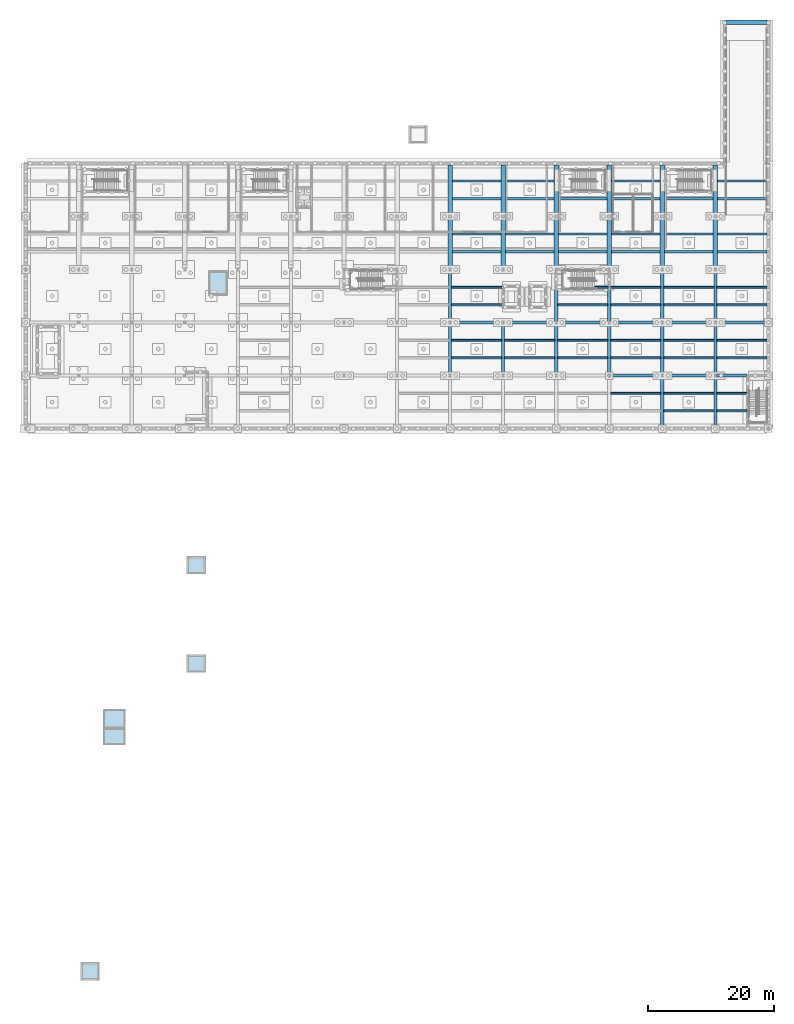
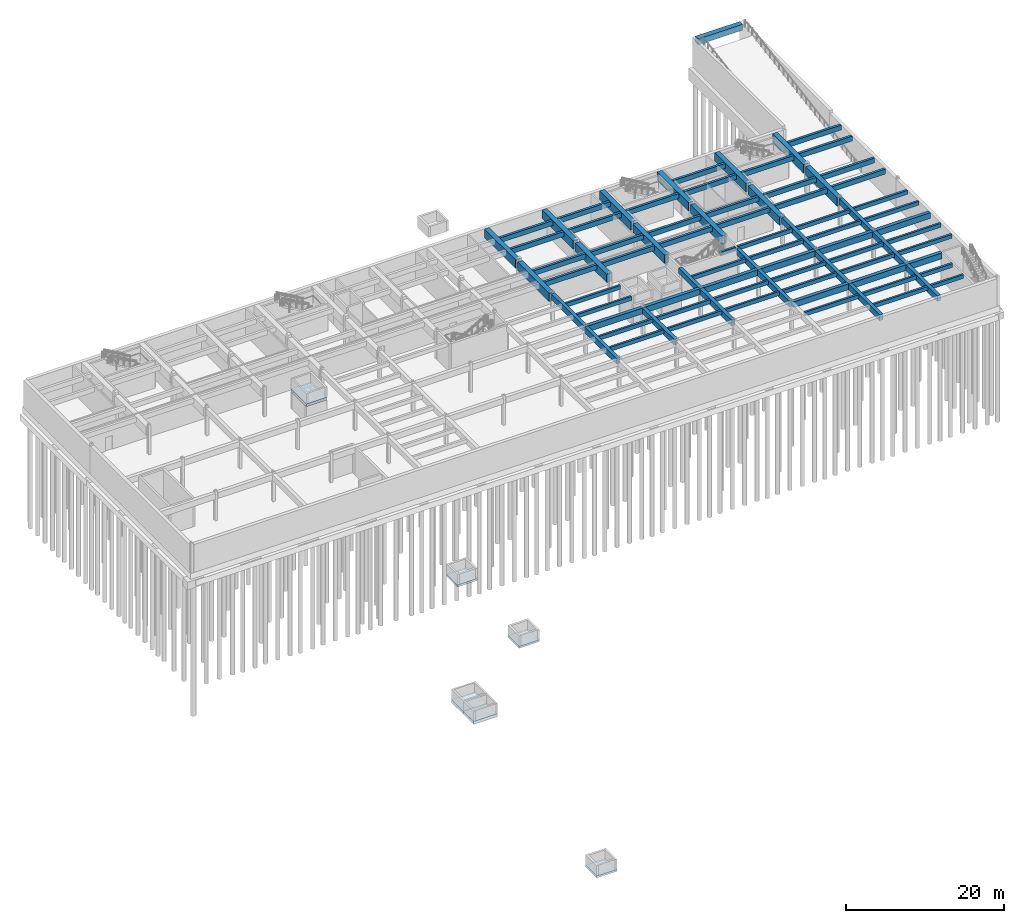
# One storey, part 18 of 33: 84 beams, 6 slabs.
"""IFC4 building model written with IfcOpenShell, lengths in metres."""

from ifc_helpers import new_model, si_unit, direction, frame, origin, origin_2d, place, context, subcontext, project, spatial, polyline, rectangle, outline, extrude, material, layer, layer_set, material_profile, profile_set, type_object, element, save


model = new_model("IFC4")

# Units and contexts
model_context = context("Model", 3, precision=1e-05, world=origin(), true_north=direction((0.0, 1.0)))
body_context = subcontext(model_context, "Body", "Model", "MODEL_VIEW")
ifc_project = project(units=[si_unit("LENGTHUNIT", "METRE"), si_unit("AREAUNIT", "SQUARE_METRE"), si_unit("VOLUMEUNIT", "CUBIC_METRE"), si_unit("PLANEANGLEUNIT", "RADIAN"), si_unit("MASSUNIT", "GRAM", prefix="KILO")], contexts=[model_context])

# Site, building, storey
site_placement = place(None, origin())
site = spatial("IfcSite", under=ifc_project, at=site_placement, CompositionType="ELEMENT")
building_placement = place(site_placement, origin())
building = spatial("IfcBuilding", under=site, at=building_placement, Name="Ljudholm Concert House", CompositionType="ELEMENT")
storey_placement = place(building_placement, frame((0.0, 0.0, -4.60009765625)))
storey = spatial("IfcBuildingStorey", under=building, at=storey_placement, Name="B1", CompositionType="ELEMENT", Elevation=-4.60009765625)

# Beams
ifc_material_1 = material(Name="Concrete 6,500 psi", Category="concrete")
ifc_material_profile_1 = material_profile(ifc_material_1, rectangle(XDim=0.300048828125, YDim=0.60009765625, at=origin_2d()), Name="RC BEAM 300x600")
ifc_profile_set_1 = profile_set([ifc_material_profile_1], Name="Concrete 6,500 psi")
beam_type_1 = type_object("IfcBeamType", Name="RC BEAM 300x600", PredefinedType="BEAM", material=ifc_profile_set_1)
beam_1_placement = place(storey_placement, frame((96.64990234375, 110.39990234375, 4.0), z_axis=(1.0, 0.0, 0.0), x_axis=(0.0, 1.0, 0.0)))
element("IfcBeam", 1, at=beam_1_placement, inside=storey, type_object=beam_type_1, Name="Deck beam", PredefinedType="BEAM", context=body_context, shape_type="SweptSolid", body=[
    extrude(rectangle(XDim=0.300048828125, YDim=0.60009765625, at=origin_2d()), origin(), (0.0, 0.0, 1.0), 7.900146484375),
])
for number, where, z_axis, x_axis, name in (
    (2, (105.050048828125, 107.60009765625, 4.0), (1.0, 0.0, 0.0), (0.0, 1.0, 0.0), "Deck beam"),
    (3, (105.050048828125, 110.39990234375, 4.0), (1.0, 0.0, 0.0), (0.0, 1.0, 0.0), "Deck beam"),
):
    element("IfcBeam", number, at=place(storey_placement, frame(where, z_axis=z_axis, x_axis=x_axis)), inside=storey, type_object=beam_type_1, Name=name, PredefinedType="BEAM", context=body_context, shape_type="SweptSolid", body=[
        extrude(rectangle(XDim=0.300048828125, YDim=0.60009765625, at=origin_2d()), origin(), (0.0, 0.0, 1.0), 7.89990234375),
    ])
for number, where, z_axis, x_axis, name in (
    (4, (113.449951171875, 107.60009765625, 4.0), (1.0, 0.0, 0.0), (0.0, 1.0, 0.0), "Deck beam"),
    (5, (113.449951171875, 110.39990234375, 4.0), (1.0, 0.0, 0.0), (0.0, 1.0, 0.0), "Deck beam"),
):
    element("IfcBeam", number, at=place(storey_placement, frame(where, z_axis=z_axis, x_axis=x_axis)), inside=storey, type_object=beam_type_1, Name=name, PredefinedType="BEAM", context=body_context, shape_type="SweptSolid", body=[
        extrude(rectangle(XDim=0.300048828125, YDim=0.60009765625, at=origin_2d()), origin(), (0.0, 0.0, 1.0), 4.75),
    ])
for number, where, z_axis, x_axis, name in (
    (6, (71.449951171875, 116.0, 4.0), (1.0, 0.0, 0.0), (0.0, 1.0, 0.0), "Deck beam"),
    (7, (71.449951171875, 118.800048828125, 4.0), (1.0, 0.0, 0.0), (0.0, 1.0, 0.0), "Deck beam"),
):
    element("IfcBeam", number, at=place(storey_placement, frame(where, z_axis=z_axis, x_axis=x_axis)), inside=storey, type_object=beam_type_1, Name=name, PredefinedType="BEAM", context=body_context, shape_type="SweptSolid", body=[
        extrude(rectangle(XDim=0.300048828125, YDim=0.60009765625, at=origin_2d()), origin(), (0.0, 0.0, 1.0), 7.900146484375),
    ])
for number, where, z_axis, x_axis, name in (
    (8, (79.85009765625, 116.0, 4.0), (1.0, 0.0, 0.0), (0.0, 1.0, 0.0), "Deck beam"),
    (9, (79.85009765625, 118.800048828125, 4.0), (1.0, 0.0, 0.0), (0.0, 1.0, 0.0), "Deck beam"),
    (10, (88.25, 116.0, 4.0), (1.0, 0.0, 0.0), (0.0, 1.0, 0.0), "Deck beam"),
    (11, (88.25, 118.800048828125, 4.0), (1.0, 0.0, 0.0), (0.0, 1.0, 0.0), "Deck beam"),
):
    element("IfcBeam", number, at=place(storey_placement, frame(where, z_axis=z_axis, x_axis=x_axis)), inside=storey, type_object=beam_type_1, Name=name, PredefinedType="BEAM", context=body_context, shape_type="SweptSolid", body=[
        extrude(rectangle(XDim=0.300048828125, YDim=0.60009765625, at=origin_2d()), origin(), (0.0, 0.0, 1.0), 7.89990234375),
    ])
for number, where, z_axis, x_axis, name in (
    (12, (96.64990234375, 116.0, 4.0), (1.0, 0.0, 0.0), (0.0, 1.0, 0.0), "Deck beam"),
    (13, (96.64990234375, 118.800048828125, 4.0), (1.0, 0.0, 0.0), (0.0, 1.0, 0.0), "Deck beam"),
):
    element("IfcBeam", number, at=place(storey_placement, frame(where, z_axis=z_axis, x_axis=x_axis)), inside=storey, type_object=beam_type_1, Name=name, PredefinedType="BEAM", context=body_context, shape_type="SweptSolid", body=[
        extrude(rectangle(XDim=0.300048828125, YDim=0.60009765625, at=origin_2d()), origin(), (0.0, 0.0, 1.0), 7.900146484375),
    ])
for number, where, z_axis, x_axis, name in (
    (14, (105.050048828125, 116.0, 4.0), (1.0, 0.0, 0.0), (0.0, 1.0, 0.0), "Deck beam"),
    (15, (105.050048828125, 118.800048828125, 4.0), (1.0, 0.0, 0.0), (0.0, 1.0, 0.0), "Deck beam"),
):
    element("IfcBeam", number, at=place(storey_placement, frame(where, z_axis=z_axis, x_axis=x_axis)), inside=storey, type_object=beam_type_1, Name=name, PredefinedType="BEAM", context=body_context, shape_type="SweptSolid", body=[
        extrude(rectangle(XDim=0.300048828125, YDim=0.60009765625, at=origin_2d()), origin(), (0.0, 0.0, 1.0), 7.89990234375),
    ])
for number, where, z_axis, x_axis, name in (
    (16, (113.449951171875, 116.0, 4.0), (1.0, 0.0, 0.0), (0.0, 1.0, 0.0), "Deck beam"),
    (17, (113.449951171875, 118.800048828125, 4.0), (1.0, 0.0, 0.0), (0.0, 1.0, 0.0), "Deck beam"),
):
    element("IfcBeam", number, at=place(storey_placement, frame(where, z_axis=z_axis, x_axis=x_axis)), inside=storey, type_object=beam_type_1, Name=name, PredefinedType="BEAM", context=body_context, shape_type="SweptSolid", body=[
        extrude(rectangle(XDim=0.300048828125, YDim=0.60009765625, at=origin_2d()), origin(), (0.0, 0.0, 1.0), 7.900146484375),
    ])
for number, where, z_axis, x_axis, name in (
    (18, (71.449951171875, 124.39990234375, 4.0), (1.0, 0.0, 0.0), (0.0, 1.0, 0.0), "Deck beam"),
    (19, (71.449951171875, 127.199951171875, 4.0), (1.0, 0.0, 0.0), (0.0, 1.0, 0.0), "Deck beam"),
):
    element("IfcBeam", number, at=place(storey_placement, frame(where, z_axis=z_axis, x_axis=x_axis)), inside=storey, type_object=beam_type_1, Name=name, PredefinedType="BEAM", context=body_context, shape_type="SweptSolid", body=[
        extrude(rectangle(XDim=0.300048828125, YDim=0.60009765625, at=origin_2d()), origin(), (0.0, 0.0, 1.0), 8.025146484375),
    ])
beam_2_placement = place(storey_placement, frame((88.25, 124.39990234375, 4.0), z_axis=(1.0, 0.0, 0.0), x_axis=(0.0, 1.0, 0.0)))
element("IfcBeam", 20, at=beam_2_placement, inside=storey, type_object=beam_type_1, Name="Deck beam", PredefinedType="BEAM", context=body_context, shape_type="SweptSolid", body=[
    extrude(rectangle(XDim=0.300048828125, YDim=0.60009765625, at=origin_2d()), origin(), (0.0, 0.0, 1.0), 7.89990234375),
])
beam_3_placement = place(storey_placement, frame((94.094482421875, 127.199951171875, 4.0), z_axis=(1.0, 0.0, 0.0), x_axis=(0.0, 1.0, 0.0)))
element("IfcBeam", 21, at=beam_3_placement, inside=storey, type_object=beam_type_1, Name="Deck beam", PredefinedType="BEAM", context=body_context, shape_type="SweptSolid", body=[
    extrude(rectangle(XDim=0.300048828125, YDim=0.60009765625, at=origin_2d()), origin(), (0.0, 0.0, 1.0), 2.180419921875),
])
beam_4_placement = place(storey_placement, frame((96.64990234375, 124.39990234375, 4.0), z_axis=(1.0, 0.0, 0.0), x_axis=(0.0, 1.0, 0.0)))
element("IfcBeam", 22, at=beam_4_placement, inside=storey, type_object=beam_type_1, Name="Deck beam", PredefinedType="BEAM", context=body_context, shape_type="SweptSolid", body=[
    extrude(rectangle(XDim=0.300048828125, YDim=0.60009765625, at=origin_2d()), origin(), (0.0, 0.0, 1.0), 7.900146484375),
])
beam_5_placement = place(storey_placement, frame((96.52490234375, 127.199951171875, 4.0), z_axis=(1.0, 0.0, 0.0), x_axis=(0.0, 1.0, 0.0)))
element("IfcBeam", 23, at=beam_5_placement, inside=storey, type_object=beam_type_1, Name="Deck beam", PredefinedType="BEAM", context=body_context, shape_type="SweptSolid", body=[
    extrude(rectangle(XDim=0.300048828125, YDim=0.60009765625, at=origin_2d()), origin(), (0.0, 0.0, 1.0), 8.025146484375),
])
for number, where, z_axis, x_axis, name in (
    (24, (105.050048828125, 124.39990234375, 4.0), (1.0, 0.0, 0.0), (0.0, 1.0, 0.0), "Deck beam"),
    (25, (105.050048828125, 127.199951171875, 4.0), (1.0, 0.0, 0.0), (0.0, 1.0, 0.0), "Deck beam"),
):
    element("IfcBeam", number, at=place(storey_placement, frame(where, z_axis=z_axis, x_axis=x_axis)), inside=storey, type_object=beam_type_1, Name=name, PredefinedType="BEAM", context=body_context, shape_type="SweptSolid", body=[
        extrude(rectangle(XDim=0.300048828125, YDim=0.60009765625, at=origin_2d()), origin(), (0.0, 0.0, 1.0), 7.89990234375),
    ])
for number, where, z_axis, x_axis, name in (
    (26, (113.449951171875, 124.39990234375, 4.0), (1.0, 0.0, 0.0), (0.0, 1.0, 0.0), "Deck beam"),
    (27, (113.449951171875, 127.199951171875, 4.0), (1.0, 0.0, 0.0), (0.0, 1.0, 0.0), "Deck beam"),
):
    element("IfcBeam", number, at=place(storey_placement, frame(where, z_axis=z_axis, x_axis=x_axis)), inside=storey, type_object=beam_type_1, Name=name, PredefinedType="BEAM", context=body_context, shape_type="SweptSolid", body=[
        extrude(rectangle(XDim=0.300048828125, YDim=0.60009765625, at=origin_2d()), origin(), (0.0, 0.0, 1.0), 7.900146484375),
    ])
ifc_material_2 = material(Name="Concrete 6,500 psi", Category="concrete")
ifc_material_profile_2 = material_profile(ifc_material_2, rectangle(XDim=0.35009765625, YDim=0.75, at=origin_2d()), Name="RC BEAM 350x750")
ifc_profile_set_2 = profile_set([ifc_material_profile_2], Name="Concrete 6,500 psi")
beam_type_2 = type_object("IfcBeamType", Name="RC BEAM 350x750", PredefinedType="BEAM", material=ifc_profile_set_2)
for number, where, z_axis, x_axis, name in (
    (28, (71.550048828125, 132.800048828125, 3.815185546875), (1.0, 0.0, 0.0), (0.0, 1.0, 0.0), "Deck beam"),
    (29, (79.949951171875, 132.800048828125, 3.815185546875), (1.0, 0.0, 0.0), (0.0, 1.0, 0.0), "Deck beam"),
    (30, (88.35009765625, 132.800048828125, 3.815185546875), (1.0, 0.0, 0.0), (0.0, 1.0, 0.0), "Deck beam"),
    (31, (96.75, 132.800048828125, 3.815185546875), (1.0, 0.0, 0.0), (0.0, 1.0, 0.0), "Deck beam"),
):
    element("IfcBeam", number, at=place(storey_placement, frame(where, z_axis=z_axis, x_axis=x_axis)), inside=storey, type_object=beam_type_2, Name=name, PredefinedType="BEAM", context=body_context, shape_type="SweptSolid", body=[
        extrude(rectangle(XDim=0.35009765625, YDim=0.75, at=origin_2d()), origin(), (0.0, 0.0, 1.0), 7.699951171875),
    ])
beam_6_placement = place(storey_placement, frame((105.14990234375, 132.800048828125, 3.815185546875), z_axis=(1.0, 0.0, 0.0), x_axis=(0.0, 1.0, 0.0)))
element("IfcBeam", 32, at=beam_6_placement, inside=storey, type_object=beam_type_2, Name="Deck beam", PredefinedType="BEAM", context=body_context, shape_type="SweptSolid", body=[
    extrude(rectangle(XDim=0.35009765625, YDim=0.75, at=origin_2d()), origin(), (0.0, 0.0, 1.0), 7.7001953125),
])
beam_7_placement = place(storey_placement, frame((113.550048828125, 132.800048828125, 3.815185546875), z_axis=(1.0, 0.0, 0.0), x_axis=(0.0, 1.0, 0.0)))
element("IfcBeam", 33, at=beam_7_placement, inside=storey, type_object=beam_type_2, Name="Deck beam", PredefinedType="BEAM", context=body_context, shape_type="SweptSolid", body=[
    extrude(rectangle(XDim=0.35009765625, YDim=0.75, at=origin_2d()), origin(), (0.0, 0.0, 1.0), 7.800048828125),
])
for number, where, z_axis, x_axis, name in (
    (34, (71.550048828125, 135.60009765625, 3.815185546875), (1.0, 0.0, 0.0), (0.0, 1.0, 0.0), "Deck beam"),
    (35, (79.949951171875, 135.60009765625, 3.815185546875), (1.0, 0.0, 0.0), (0.0, 1.0, 0.0), "Deck beam"),
    (36, (88.35009765625, 135.60009765625, 3.815185546875), (1.0, 0.0, 0.0), (0.0, 1.0, 0.0), "Deck beam"),
    (37, (96.75, 135.60009765625, 3.815185546875), (1.0, 0.0, 0.0), (0.0, 1.0, 0.0), "Deck beam"),
):
    element("IfcBeam", number, at=place(storey_placement, frame(where, z_axis=z_axis, x_axis=x_axis)), inside=storey, type_object=beam_type_2, Name=name, PredefinedType="BEAM", context=body_context, shape_type="SweptSolid", body=[
        extrude(rectangle(XDim=0.35009765625, YDim=0.75, at=origin_2d()), origin(), (0.0, 0.0, 1.0), 7.699951171875),
    ])
beam_8_placement = place(storey_placement, frame((105.14990234375, 135.60009765625, 3.815185546875), z_axis=(1.0, 0.0, 0.0), x_axis=(0.0, 1.0, 0.0)))
element("IfcBeam", 38, at=beam_8_placement, inside=storey, type_object=beam_type_2, Name="Deck beam", PredefinedType="BEAM", context=body_context, shape_type="SweptSolid", body=[
    extrude(rectangle(XDim=0.35009765625, YDim=0.75, at=origin_2d()), origin(), (0.0, 0.0, 1.0), 7.7001953125),
])
beam_9_placement = place(storey_placement, frame((113.550048828125, 135.60009765625, 3.815185546875), z_axis=(1.0, 0.0, 0.0), x_axis=(0.0, 1.0, 0.0)))
element("IfcBeam", 39, at=beam_9_placement, inside=storey, type_object=beam_type_2, Name="Deck beam", PredefinedType="BEAM", context=body_context, shape_type="SweptSolid", body=[
    extrude(rectangle(XDim=0.35009765625, YDim=0.75, at=origin_2d()), origin(), (0.0, 0.0, 1.0), 7.800048828125),
])
for number, where, z_axis, x_axis, name in (
    (40, (71.550048828125, 141.199951171875, 3.815185546875), (1.0, 0.0, 0.0), (0.0, 1.0, 0.0), "Deck beam"),
    (41, (79.949951171875, 141.199951171875, 3.815185546875), (1.0, 0.0, 0.0), (0.0, 1.0, 0.0), "Deck beam"),
    (42, (88.35009765625, 141.199951171875, 3.815185546875), (1.0, 0.0, 0.0), (0.0, 1.0, 0.0), "Deck beam"),
    (43, (96.75, 141.199951171875, 3.815185546875), (1.0, 0.0, 0.0), (0.0, 1.0, 0.0), "Deck beam"),
):
    element("IfcBeam", number, at=place(storey_placement, frame(where, z_axis=z_axis, x_axis=x_axis)), inside=storey, type_object=beam_type_2, Name=name, PredefinedType="BEAM", context=body_context, shape_type="SweptSolid", body=[
        extrude(rectangle(XDim=0.35009765625, YDim=0.75, at=origin_2d()), origin(), (0.0, 0.0, 1.0), 7.699951171875),
    ])
beam_10_placement = place(storey_placement, frame((105.14990234375, 141.199951171875, 3.815185546875), z_axis=(1.0, 0.0, 0.0), x_axis=(0.0, 1.0, 0.0)))
element("IfcBeam", 44, at=beam_10_placement, inside=storey, type_object=beam_type_2, Name="Deck beam", PredefinedType="BEAM", context=body_context, shape_type="SweptSolid", body=[
    extrude(rectangle(XDim=0.35009765625, YDim=0.75, at=origin_2d()), origin(), (0.0, 0.0, 1.0), 7.7001953125),
])
beam_11_placement = place(storey_placement, frame((113.550048828125, 141.199951171875, 3.815185546875), z_axis=(1.0, 0.0, 0.0), x_axis=(0.0, 1.0, 0.0)))
element("IfcBeam", 45, at=beam_11_placement, inside=storey, type_object=beam_type_2, Name="Deck beam", PredefinedType="BEAM", context=body_context, shape_type="SweptSolid", body=[
    extrude(rectangle(XDim=0.35009765625, YDim=0.75, at=origin_2d()), origin(), (0.0, 0.0, 1.0), 7.800048828125),
])
for number, where, z_axis, x_axis, name in (
    (46, (71.550048828125, 144.0, 3.815185546875), (1.0, 0.0, 0.0), (0.0, 1.0, 0.0), "Deck beam"),
    (47, (79.949951171875, 144.0, 3.815185546875), (1.0, 0.0, 0.0), (0.0, 1.0, 0.0), "Deck beam"),
    (48, (96.75, 144.0, 3.815185546875), (1.0, 0.0, 0.0), (0.0, 1.0, 0.0), "Deck beam"),
):
    element("IfcBeam", number, at=place(storey_placement, frame(where, z_axis=z_axis, x_axis=x_axis)), inside=storey, type_object=beam_type_2, Name=name, PredefinedType="BEAM", context=body_context, shape_type="SweptSolid", body=[
        extrude(rectangle(XDim=0.35009765625, YDim=0.75, at=origin_2d()), origin(), (0.0, 0.0, 1.0), 7.699951171875),
    ])
beam_12_placement = place(storey_placement, frame((113.550048828125, 144.0, 3.815185546875), z_axis=(1.0, 0.0, 0.0), x_axis=(0.0, 1.0, 0.0)))
element("IfcBeam", 49, at=beam_12_placement, inside=storey, type_object=beam_type_2, Name="Deck beam", PredefinedType="BEAM", context=body_context, shape_type="SweptSolid", body=[
    extrude(rectangle(XDim=0.35009765625, YDim=0.75, at=origin_2d()), origin(), (0.0, 0.0, 1.0), 7.800048828125),
])
ifc_material_3 = material(Name="Concrete 6,500 psi", Category="concrete")
ifc_material_profile_3 = material_profile(ifc_material_3, rectangle(XDim=0.5, YDim=0.89990234375, at=origin_2d()), Name="RC BEAM 500x900")
ifc_profile_set_3 = profile_set([ifc_material_profile_3], Name="Concrete 6,500 psi")
beam_type_3 = type_object("IfcBeamType", Name="RC BEAM 500x900", PredefinedType="BEAM", material=ifc_profile_set_3)
for number, where, z_axis, x_axis, name in (
    (50, (71.199951171875, 113.38671875, 3.85009765625), (0.0, 1.0, 0.0), (-1.0, 0.0, 0.0), "Deck girder"),
    (51, (71.199951171875, 121.78662109375, 3.85009765625), (0.0, 1.0, 0.0), (-1.0, 0.0, 0.0), "Deck girder"),
    (52, (79.60009765625, 113.38671875, 3.85009765625), (0.0, 1.0, 0.0), (-1.0, 0.0, 0.0), "Deck girder"),
    (53, (88.0, 113.38671875, 3.85009765625), (0.0, 1.0, 0.0), (-1.0, 0.0, 0.0), "Deck girder"),
):
    element("IfcBeam", number, at=place(storey_placement, frame(where, z_axis=z_axis, x_axis=x_axis)), inside=storey, type_object=beam_type_3, Name=name, PredefinedType="BEAM", context=body_context, shape_type="SweptSolid", body=[
        extrude(rectangle(XDim=0.5, YDim=0.89990234375, at=origin_2d()), origin(), (0.0, 0.0, 1.0), 8.026611328125),
    ])
beam_13_placement = place(storey_placement, frame((88.0, 121.78662109375, 3.85009765625), z_axis=(0.0, 1.0, 0.0), x_axis=(-1.0, 0.0, 0.0)))
element("IfcBeam", 54, at=beam_13_placement, inside=storey, type_object=beam_type_3, Name="Deck girder", PredefinedType="BEAM", context=body_context, shape_type="SweptSolid", body=[
    extrude(rectangle(XDim=0.5, YDim=0.89990234375, at=origin_2d()), origin(), (0.0, 0.0, 1.0), 4.9384765625),
])
beam_14_placement = place(storey_placement, frame((96.39990234375, 113.38671875, 3.85009765625), z_axis=(0.0, 1.0, 0.0), x_axis=(-1.0, 0.0, 0.0)))
element("IfcBeam", 55, at=beam_14_placement, inside=storey, type_object=beam_type_3, Name="Deck girder", PredefinedType="BEAM", context=body_context, shape_type="SweptSolid", body=[
    extrude(rectangle(XDim=0.5, YDim=0.89990234375, at=origin_2d()), origin(), (0.0, 0.0, 1.0), 8.026611328125),
])
beam_15_placement = place(storey_placement, frame((96.39990234375, 121.78662109375, 3.85009765625), z_axis=(0.0, 1.0, 0.0), x_axis=(-1.0, 0.0, 0.0)))
element("IfcBeam", 56, at=beam_15_placement, inside=storey, type_object=beam_type_3, Name="Deck girder", PredefinedType="BEAM", context=body_context, shape_type="SweptSolid", body=[
    extrude(rectangle(XDim=0.5, YDim=0.89990234375, at=origin_2d()), origin(), (0.0, 0.0, 1.0), 4.9384765625),
])
beam_16_placement = place(storey_placement, frame((104.800048828125, 105.050048828125, 3.85009765625), z_axis=(0.0, 1.0, 0.0), x_axis=(-1.0, 0.0, 0.0)))
element("IfcBeam", 57, at=beam_16_placement, inside=storey, type_object=beam_type_3, Name="Deck girder", PredefinedType="BEAM", context=body_context, shape_type="SweptSolid", body=[
    extrude(rectangle(XDim=0.5, YDim=0.89990234375, at=origin_2d()), origin(), (0.0, 0.0, 1.0), 7.96337890625),
])
for number, where, z_axis, x_axis, name in (
    (58, (104.800048828125, 113.38671875, 3.85009765625), (0.0, 1.0, 0.0), (-1.0, 0.0, 0.0), "Deck girder"),
    (59, (104.800048828125, 121.78662109375, 3.85009765625), (0.0, 1.0, 0.0), (-1.0, 0.0, 0.0), "Deck girder"),
):
    element("IfcBeam", number, at=place(storey_placement, frame(where, z_axis=z_axis, x_axis=x_axis)), inside=storey, type_object=beam_type_3, Name=name, PredefinedType="BEAM", context=body_context, shape_type="SweptSolid", body=[
        extrude(rectangle(XDim=0.5, YDim=0.89990234375, at=origin_2d()), origin(), (0.0, 0.0, 1.0), 8.026611328125),
    ])
beam_17_placement = place(storey_placement, frame((113.199951171875, 105.050048828125, 3.85009765625), z_axis=(0.0, 1.0, 0.0), x_axis=(-1.0, 0.0, 0.0)))
element("IfcBeam", 60, at=beam_17_placement, inside=storey, type_object=beam_type_3, Name="Deck girder", PredefinedType="BEAM", context=body_context, shape_type="SweptSolid", body=[
    extrude(rectangle(XDim=0.5, YDim=0.89990234375, at=origin_2d()), origin(), (0.0, 0.0, 1.0), 7.96337890625),
])
for number, where, z_axis, x_axis, name in (
    (61, (113.199951171875, 113.38671875, 3.85009765625), (0.0, 1.0, 0.0), (-1.0, 0.0, 0.0), "Deck girder"),
    (62, (113.199951171875, 121.78662109375, 3.85009765625), (0.0, 1.0, 0.0), (-1.0, 0.0, 0.0), "Deck girder"),
    (63, (96.586669921875, 113.199951171875, 3.85009765625), (1.0, 0.0, 0.0), (0.0, 1.0, 0.0), "Deck girder"),
):
    element("IfcBeam", number, at=place(storey_placement, frame(where, z_axis=z_axis, x_axis=x_axis)), inside=storey, type_object=beam_type_3, Name=name, PredefinedType="BEAM", context=body_context, shape_type="SweptSolid", body=[
        extrude(rectangle(XDim=0.5, YDim=0.89990234375, at=origin_2d()), origin(), (0.0, 0.0, 1.0), 8.026611328125),
    ])
beam_18_placement = place(storey_placement, frame((104.986572265625, 113.199951171875, 3.85009765625), z_axis=(1.0, 0.0, 0.0), x_axis=(0.0, 1.0, 0.0)))
element("IfcBeam", 64, at=beam_18_placement, inside=storey, type_object=beam_type_3, Name="Deck girder", PredefinedType="BEAM", context=body_context, shape_type="SweptSolid", body=[
    extrude(rectangle(XDim=0.5, YDim=0.89990234375, at=origin_2d()), origin(), (0.0, 0.0, 1.0), 8.02685546875),
])
beam_19_placement = place(storey_placement, frame((113.38671875, 113.199951171875, 3.85009765625), z_axis=(1.0, 0.0, 0.0), x_axis=(0.0, 1.0, 0.0)))
element("IfcBeam", 65, at=beam_19_placement, inside=storey, type_object=beam_type_3, Name="Deck girder", PredefinedType="BEAM", context=body_context, shape_type="SweptSolid", body=[
    extrude(rectangle(XDim=0.5, YDim=0.89990234375, at=origin_2d()), origin(), (0.0, 0.0, 1.0), 4.813232421875),
])
for number, where, z_axis, x_axis, name in (
    (66, (71.38671875, 121.60009765625, 3.85009765625), (1.0, 0.0, 0.0), (0.0, 1.0, 0.0), "Deck girder"),
    (67, (79.78662109375, 121.60009765625, 3.85009765625), (1.0, 0.0, 0.0), (0.0, 1.0, 0.0), "Deck girder"),
    (68, (88.186767578125, 121.60009765625, 3.85009765625), (1.0, 0.0, 0.0), (0.0, 1.0, 0.0), "Deck girder"),
    (69, (96.586669921875, 121.60009765625, 3.85009765625), (1.0, 0.0, 0.0), (0.0, 1.0, 0.0), "Deck girder"),
):
    element("IfcBeam", number, at=place(storey_placement, frame(where, z_axis=z_axis, x_axis=x_axis)), inside=storey, type_object=beam_type_3, Name=name, PredefinedType="BEAM", context=body_context, shape_type="SweptSolid", body=[
        extrude(rectangle(XDim=0.5, YDim=0.89990234375, at=origin_2d()), origin(), (0.0, 0.0, 1.0), 8.026611328125),
    ])
beam_20_placement = place(storey_placement, frame((104.986572265625, 121.60009765625, 3.85009765625), z_axis=(1.0, 0.0, 0.0), x_axis=(0.0, 1.0, 0.0)))
element("IfcBeam", 70, at=beam_20_placement, inside=storey, type_object=beam_type_3, Name="Deck girder", PredefinedType="BEAM", context=body_context, shape_type="SweptSolid", body=[
    extrude(rectangle(XDim=0.5, YDim=0.89990234375, at=origin_2d()), origin(), (0.0, 0.0, 1.0), 8.02685546875),
])
beam_21_placement = place(storey_placement, frame((113.38671875, 121.60009765625, 3.85009765625), z_axis=(1.0, 0.0, 0.0), x_axis=(0.0, 1.0, 0.0)))
element("IfcBeam", 71, at=beam_21_placement, inside=storey, type_object=beam_type_3, Name="Deck girder", PredefinedType="BEAM", context=body_context, shape_type="SweptSolid", body=[
    extrude(rectangle(XDim=0.5, YDim=0.89990234375, at=origin_2d()), origin(), (0.0, 0.0, 1.0), 7.96337890625),
])
ifc_material_4 = material(Name="Concrete 6,500 psi", Category="concrete")
ifc_material_profile_4 = material_profile(ifc_material_4, rectangle(XDim=0.699951171875, YDim=1.300048828125, at=origin_2d()), Name="RC BEAM 700x1300")
ifc_profile_set_4 = profile_set([ifc_material_profile_4], Name="Concrete 6,500 psi")
beam_type_4 = type_object("IfcBeamType", Name="RC BEAM 700x1300", PredefinedType="BEAM", material=ifc_profile_set_4)
beam_22_placement = place(storey_placement, frame((71.199951171875, 130.186767578125, 3.5400390625), z_axis=(0.0, 1.0, 0.0), x_axis=(-1.0, 0.0, 0.0)))
element("IfcBeam", 72, at=beam_22_placement, inside=storey, type_object=beam_type_4, Name="Deck girder", PredefinedType="BEAM", context=body_context, shape_type="SweptSolid", body=[
    extrude(rectangle(XDim=0.699951171875, YDim=1.300048828125, at=origin_2d()), origin(), (0.0, 0.0, 1.0), 7.963134765625),
])
beam_23_placement = place(storey_placement, frame((71.199951171875, 138.64990234375, 3.5400390625), z_axis=(0.0, 1.0, 0.0), x_axis=(-1.0, 0.0, 0.0)))
element("IfcBeam", 73, at=beam_23_placement, inside=storey, type_object=beam_type_4, Name="Deck girder", PredefinedType="BEAM", context=body_context, shape_type="SweptSolid", body=[
    extrude(rectangle(XDim=0.699951171875, YDim=1.300048828125, at=origin_2d()), origin(), (0.0, 0.0, 1.0), 7.900146484375),
])
beam_24_placement = place(storey_placement, frame((79.60009765625, 130.186767578125, 3.5400390625), z_axis=(0.0, 1.0, 0.0), x_axis=(-1.0, 0.0, 0.0)))
element("IfcBeam", 74, at=beam_24_placement, inside=storey, type_object=beam_type_4, Name="Deck girder", PredefinedType="BEAM", context=body_context, shape_type="SweptSolid", body=[
    extrude(rectangle(XDim=0.699951171875, YDim=1.300048828125, at=origin_2d()), origin(), (0.0, 0.0, 1.0), 7.963134765625),
])
beam_25_placement = place(storey_placement, frame((79.60009765625, 138.64990234375, 3.5400390625), z_axis=(0.0, 1.0, 0.0), x_axis=(-1.0, 0.0, 0.0)))
element("IfcBeam", 75, at=beam_25_placement, inside=storey, type_object=beam_type_4, Name="Deck girder", PredefinedType="BEAM", context=body_context, shape_type="SweptSolid", body=[
    extrude(rectangle(XDim=0.699951171875, YDim=1.300048828125, at=origin_2d()), origin(), (0.0, 0.0, 1.0), 7.900146484375),
])
beam_26_placement = place(storey_placement, frame((88.0, 130.186767578125, 3.5400390625), z_axis=(0.0, 1.0, 0.0), x_axis=(-1.0, 0.0, 0.0)))
element("IfcBeam", 76, at=beam_26_placement, inside=storey, type_object=beam_type_4, Name="Deck girder", PredefinedType="BEAM", context=body_context, shape_type="SweptSolid", body=[
    extrude(rectangle(XDim=0.699951171875, YDim=1.300048828125, at=origin_2d()), origin(), (0.0, 0.0, 1.0), 7.963134765625),
])
beam_27_placement = place(storey_placement, frame((88.0, 138.64990234375, 3.5400390625), z_axis=(0.0, 1.0, 0.0), x_axis=(-1.0, 0.0, 0.0)))
element("IfcBeam", 77, at=beam_27_placement, inside=storey, type_object=beam_type_4, Name="Deck girder", PredefinedType="BEAM", context=body_context, shape_type="SweptSolid", body=[
    extrude(rectangle(XDim=0.699951171875, YDim=1.300048828125, at=origin_2d()), origin(), (0.0, 0.0, 1.0), 7.900146484375),
])
beam_28_placement = place(storey_placement, frame((96.39990234375, 130.186767578125, 3.5400390625), z_axis=(0.0, 1.0, 0.0), x_axis=(-1.0, 0.0, 0.0)))
element("IfcBeam", 78, at=beam_28_placement, inside=storey, type_object=beam_type_4, Name="Deck girder", PredefinedType="BEAM", context=body_context, shape_type="SweptSolid", body=[
    extrude(rectangle(XDim=0.699951171875, YDim=1.300048828125, at=origin_2d()), origin(), (0.0, 0.0, 1.0), 7.963134765625),
])
beam_29_placement = place(storey_placement, frame((96.39990234375, 138.64990234375, 3.5400390625), z_axis=(0.0, 1.0, 0.0), x_axis=(-1.0, 0.0, 0.0)))
element("IfcBeam", 79, at=beam_29_placement, inside=storey, type_object=beam_type_4, Name="Deck girder", PredefinedType="BEAM", context=body_context, shape_type="SweptSolid", body=[
    extrude(rectangle(XDim=0.699951171875, YDim=1.300048828125, at=origin_2d()), origin(), (0.0, 0.0, 1.0), 7.900146484375),
])
beam_30_placement = place(storey_placement, frame((104.800048828125, 130.186767578125, 3.5400390625), z_axis=(0.0, 1.0, 0.0), x_axis=(-1.0, 0.0, 0.0)))
element("IfcBeam", 80, at=beam_30_placement, inside=storey, type_object=beam_type_4, Name="Deck girder", PredefinedType="BEAM", context=body_context, shape_type="SweptSolid", body=[
    extrude(rectangle(XDim=0.699951171875, YDim=1.300048828125, at=origin_2d()), origin(), (0.0, 0.0, 1.0), 7.963134765625),
])
beam_31_placement = place(storey_placement, frame((104.800048828125, 138.64990234375, 3.5400390625), z_axis=(0.0, 1.0, 0.0), x_axis=(-1.0, 0.0, 0.0)))
element("IfcBeam", 81, at=beam_31_placement, inside=storey, type_object=beam_type_4, Name="Deck girder", PredefinedType="BEAM", context=body_context, shape_type="SweptSolid", body=[
    extrude(rectangle(XDim=0.699951171875, YDim=1.300048828125, at=origin_2d()), origin(), (0.0, 0.0, 1.0), 7.900146484375),
])
beam_32_placement = place(storey_placement, frame((113.199951171875, 130.186767578125, 3.5400390625), z_axis=(0.0, 1.0, 0.0), x_axis=(-1.0, 0.0, 0.0)))
element("IfcBeam", 82, at=beam_32_placement, inside=storey, type_object=beam_type_4, Name="Deck girder", PredefinedType="BEAM", context=body_context, shape_type="SweptSolid", body=[
    extrude(rectangle(XDim=0.699951171875, YDim=1.300048828125, at=origin_2d()), origin(), (0.0, 0.0, 1.0), 7.963134765625),
])
beam_33_placement = place(storey_placement, frame((113.199951171875, 138.64990234375, 3.5400390625), z_axis=(0.0, 1.0, 0.0), x_axis=(-1.0, 0.0, 0.0)))
element("IfcBeam", 83, at=beam_33_placement, inside=storey, type_object=beam_type_4, Name="Deck girder", PredefinedType="BEAM", context=body_context, shape_type="SweptSolid", body=[
    extrude(rectangle(XDim=0.699951171875, YDim=1.300048828125, at=origin_2d()), origin(), (0.0, 0.0, 1.0), 7.900146484375),
])
ifc_material_5 = material(Name="Concrete 6,500 psi", Category="concrete")
ifc_material_profile_5 = material_profile(ifc_material_5, rectangle(XDim=0.75, YDim=0.89990234375, at=origin_2d()), Name="RC BEAM 750x900")
ifc_profile_set_5 = profile_set([ifc_material_profile_5], Name="Concrete 6,500 psi")
beam_type_5 = type_object("IfcBeamType", Name="RC BEAM 750x900", PredefinedType="BEAM", material=ifc_profile_set_5)
beam_34_placement = place(storey_placement, frame((114.85009765625, 169.125, 4.150146484375), z_axis=(1.0, 0.0, 0.0), x_axis=(0.0, 1.0, 0.0)))
element("IfcBeam", 84, at=beam_34_placement, inside=storey, type_object=beam_type_5, Name="Ramp head beam", PredefinedType="BEAM", context=body_context, shape_type="SweptSolid", body=[
    extrude(rectangle(XDim=0.75, YDim=0.89990234375, at=origin_2d()), origin(), (0.0, 0.0, 1.0), 6.5),
])

# Slabs
ifc_material_6 = material(Name="Concrete 5,000 psi", Category="concrete")
ifc_layer_1 = layer(ifc_material_6, 0.300048828125)
ifc_layer_set_1 = layer_set([ifc_layer_1], Name="Concrete 5,000 psi")
slab_type_1 = type_object("IfcSlabType", Name="RC BASE SLAB 300", PredefinedType="BASESLAB", material=ifc_layer_set_1)
slab_1_placement = place(storey_placement, frame((0.0, 0.0, 2.7001953125)))
element("IfcSlab", 85, at=slab_1_placement, inside=storey, type_object=slab_type_1, Name="Lift pit slab", PredefinedType="BASESLAB", context=body_context, shape_type="SweptSolid", body=[
    extrude(outline(polyline([(29.52490234375, 66.199951171875), (32.47509765625, 66.199951171875), (32.47509765625, 69.0), (29.52490234375, 69.0), (29.52490234375, 66.199951171875)])), origin(), (0.0, 0.0, 1.0), 0.2998046875),
])
slab_2_placement = place(storey_placement, frame((0.0, 0.0, 2.7001953125)))
element("IfcSlab", 86, at=slab_2_placement, inside=storey, type_object=slab_type_1, Name="Lift pit slab", PredefinedType="BASESLAB", context=body_context, shape_type="SweptSolid", body=[
    extrude(outline(polyline([(29.52490234375, 81.800048828125), (32.47509765625, 81.800048828125), (32.47509765625, 84.60009765625), (29.52490234375, 84.60009765625), (29.52490234375, 81.800048828125)])), origin(), (0.0, 0.0, 1.0), 0.2998046875),
])
slab_3_placement = place(storey_placement, frame((0.0, 0.0, 2.7001953125)))
element("IfcSlab", 87, at=slab_3_placement, inside=storey, type_object=slab_type_1, Name="Lift pit slab", PredefinedType="BASESLAB", context=body_context, shape_type="SweptSolid", body=[
    extrude(outline(polyline([(12.72509765625, 17.5), (15.675048828125, 17.5), (15.675048828125, 20.300048828125), (12.72509765625, 20.300048828125), (12.72509765625, 17.5)])), origin(), (0.0, 0.0, 1.0), 0.2998046875),
])
ifc_material_7 = material(Name="Concrete 5,000 psi", Category="concrete")
ifc_layer_2 = layer(ifc_material_7, 0.449951171875)
ifc_layer_set_2 = layer_set([ifc_layer_2], Name="Concrete 5,000 psi")
slab_type_2 = type_object("IfcSlabType", Name="RC BASE SLAB 450", PredefinedType="BASESLAB", material=ifc_layer_set_2)
slab_4_placement = place(storey_placement, frame((0.0, 0.0, 2.550048828125)))
element("IfcSlab", 88, at=slab_4_placement, inside=storey, type_object=slab_type_2, Name="Lift pit slab", PredefinedType="BASESLAB", context=body_context, shape_type="SweptSolid", body=[
    extrude(outline(polyline([(16.27490234375, 54.75), (19.77490234375, 54.75), (19.77490234375, 57.35009765625), (16.27490234375, 57.35009765625), (16.27490234375, 54.75)])), origin(), (0.0, 0.0, 1.0), 0.449951171875),
])
slab_5_placement = place(storey_placement, frame((0.0, 0.0, 2.550048828125)))
element("IfcSlab", 89, at=slab_5_placement, inside=storey, type_object=slab_type_2, Name="Lift pit slab", PredefinedType="BASESLAB", context=body_context, shape_type="SweptSolid", body=[
    extrude(outline(polyline([(16.27490234375, 57.35009765625), (19.77490234375, 57.35009765625), (19.77490234375, 60.35009765625), (16.27490234375, 60.35009765625), (16.27490234375, 57.35009765625)])), origin(), (0.0, 0.0, 1.0), 0.449951171875),
])
slab_6_placement = place(storey_placement, frame((0.0, 0.0, 2.550048828125)))
element("IfcSlab", 90, at=slab_6_placement, inside=storey, type_object=slab_type_2, Name="Lift pit slab", PredefinedType="BASESLAB", context=body_context, shape_type="SweptSolid", body=[
    extrude(outline(polyline([(32.949951171875, 125.89990234375), (35.949951171875, 125.89990234375), (35.949951171875, 129.800048828125), (32.949951171875, 129.800048828125), (32.949951171875, 125.89990234375)])), origin(), (0.0, 0.0, 1.0), 0.449951171875),
])

save(model, "model.ifc")
